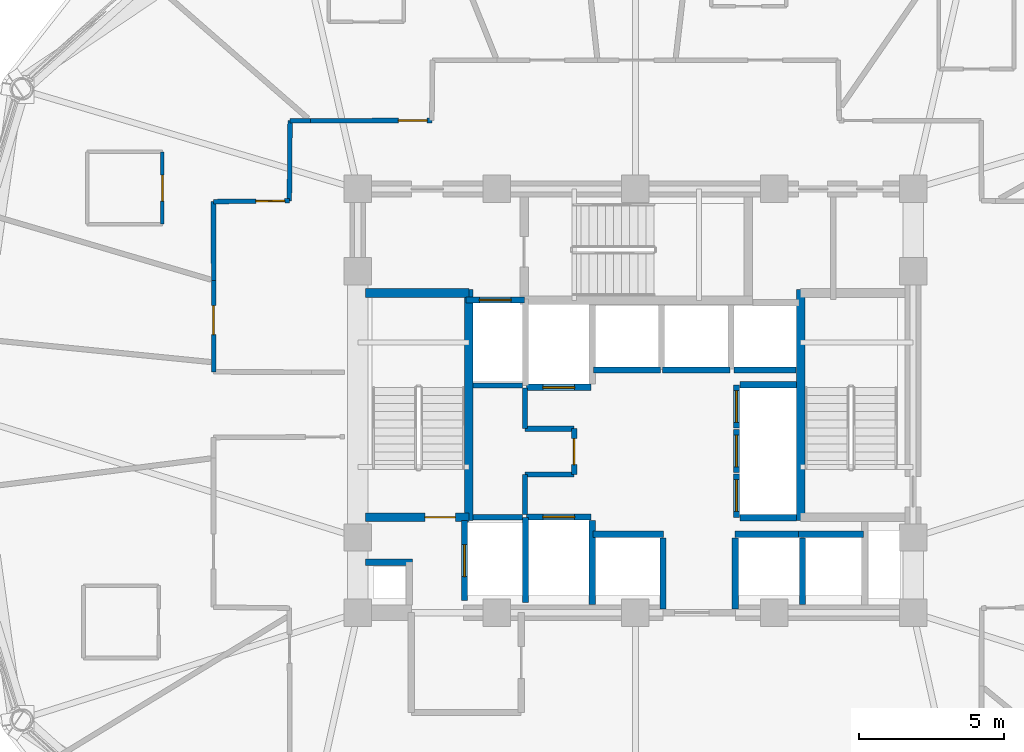
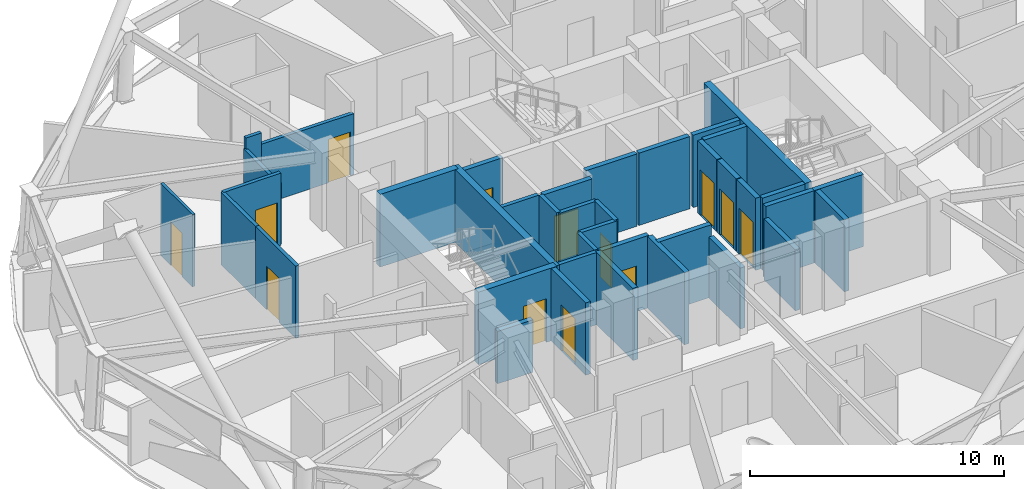
# One storey, part 8 of 13: 39 walls, 13 doors, 13 openings.
"""IFC4 building model written with IfcOpenShell, lengths in metres."""

from ifc_helpers import new_model, si_unit, direction, frame, frame_2d, origin, place, context, subcontext, project, spatial, rectangle, extrude, material, layer, layer_set, type_object, element, fill, save


model = new_model("IFC4")

# Units and contexts
model_context = context("Model", 3, precision=1e-05, world=origin(), true_north=direction((0.0, 1.0)))
body_context = subcontext(model_context, "Body", "Model", "MODEL_VIEW")
ifc_project = project(units=[si_unit("LENGTHUNIT", "METRE"), si_unit("AREAUNIT", "SQUARE_METRE"), si_unit("VOLUMEUNIT", "CUBIC_METRE"), si_unit("PLANEANGLEUNIT", "RADIAN"), si_unit("MASSUNIT", "GRAM", prefix="KILO")], contexts=[model_context])

# Site, building, storey
site_placement = place(None, origin())
site = spatial("IfcSite", under=ifc_project, at=site_placement, CompositionType="ELEMENT")
building_placement = place(site_placement, origin())
building = spatial("IfcBuilding", under=site, at=building_placement, Name="Vantalir Tower", CompositionType="ELEMENT")
storey_placement = place(building_placement, frame((0.0, 0.0, 172.199951171875)))
storey = spatial("IfcBuildingStorey", under=building, at=storey_placement, Name="L43", CompositionType="ELEMENT", Elevation=172.199951171875)

# Wall, opening, door
ifc_material_1 = material(Name="Moisture-resistant en-suite partition", Category="gypsum")
ifc_layer_1 = layer(ifc_material_1, 0.125)
ifc_layer_set_1 = layer_set([ifc_layer_1], Name="Moisture-resistant en-suite partition")
wall_type_1 = type_object("IfcWallType", Name="WL-BATH-125", PredefinedType="PARTITIONING", material=ifc_layer_set_1)
wall_1_placement = place(storey_placement, frame((15.14501953125, 31.23095703125, 0.0), z_axis=(0.0, 0.0, 1.0), x_axis=(0.0, 1.0, 0.0)))
wall_1 = element("IfcWall", 1, at=wall_1_placement, inside=storey, type_object=wall_type_1, Name="L43 En-suite 07 East Wall", PredefinedType="PARTITIONING", context=body_context, shape_type="SweptSolid", body=[
    extrude(rectangle(XDim=2.5, YDim=0.125, at=frame_2d((1.25, 0.0))), origin(), (0.0, 0.0, 1.0), 3.47998046875),
])
opening_1_placement = place(wall_1_placement, frame((0.800048828125, 0.0, 0.0)))
opening_1 = element("IfcOpeningElement", 2, at=opening_1_placement, cuts=wall_1, Name="Opening D-WC", PredefinedType="OPENING", context=body_context, shape_type="SweptSolid", body=[
    extrude(rectangle(XDim=0.89990234375, YDim=2.10009765625, at=frame_2d((0.449951171875, 1.050048828125))), frame((0.0, 0.072509765625, 0.0), z_axis=(0.0, -1.0, 0.0), x_axis=(1.0, 0.0, 0.0)), (0.0, 0.0, 1.0), 0.14501953125),
])
ifc_material_2 = material(Name="Moisture-resistant hardwood door", Category="wood")
door_type_1 = type_object("IfcDoorType", Name="DR-ENSUITE-900", OperationType="NOTDEFINED", PredefinedType="DOOR", material=ifc_material_2)
door_1_placement = place(opening_1_placement, origin())
door_1 = element("IfcDoor", 3, at=door_1_placement, inside=storey, type_object=door_type_1, Name="L43 En-suite 07 Door", OperationType="SINGLE_SWING_LEFT", OverallHeight=2.10009765625, OverallWidth=0.89990234375, PredefinedType="DOOR", context=body_context, shape_type="SweptSolid", body=[
    extrude(rectangle(XDim=0.89990234375, YDim=2.10009765625, at=frame_2d((0.449951171875, 1.050048828125))), frame((0.0, 0.02490234375, 0.0), z_axis=(0.0, -1.0, 0.0), x_axis=(1.0, 0.0, 0.0)), (0.0, 0.0, 1.0), 0.050048828125),
])
fill(opening_1, door_1)

ifc_material_3 = material(Name="Fire-rated hotel corridor acoustic partition", Category="gypsum")
ifc_layer_2 = layer(ifc_material_3, 0.159912109375)
ifc_layer_set_2 = layer_set([ifc_layer_2], Name="Fire-rated hotel corridor acoustic partition")
wall_type_2 = type_object("IfcWallType", Name="WL-CORR-160", PredefinedType="PARTITIONING", material=ifc_layer_set_2)
wall_2_placement = place(storey_placement, frame((16.9189453125, 26.125, 0.0), z_axis=(0.0, 0.0, 1.0), x_axis=(-0.001236188501, 0.999999235919, 0.0)))
wall_2 = element("IfcWall", 4, at=wall_2_placement, inside=storey, type_object=wall_type_2, Name="L43 Corridor Partition 03", PredefinedType="PARTITIONING", context=body_context, shape_type="SweptSolid", body=[
    extrude(rectangle(XDim=3.159912109375, YDim=0.159912109375, at=frame_2d((1.580078125, 0.0))), origin(), (0.0, 0.0, 1.0), 3.47998046875),
])
opening_2_placement = place(wall_2_placement, frame((1.2919921875, 0.0, 0.0)))
opening_2 = element("IfcOpeningElement", 5, at=opening_2_placement, cuts=wall_2, Name="Opening D-GUEST", PredefinedType="OPENING", context=body_context, shape_type="SweptSolid", body=[
    extrude(rectangle(XDim=1.0, YDim=2.10009765625, at=frame_2d((0.5, 1.050048828125))), frame((0.0, 0.08984375, 0.0), z_axis=(0.0, -1.0, 0.0), x_axis=(1.0, 0.0, 0.0)), (0.0, 0.0, 1.0), 0.179931640625),
])
ifc_material_4 = material(Name="Solid-core teak veneer acoustic fire door", Category="wood")
door_type_2 = type_object("IfcDoorType", Name="DR-GUEST-ENTRY-1000", OperationType="NOTDEFINED", PredefinedType="DOOR", material=ifc_material_4)
door_2_placement = place(opening_2_placement, origin())
door_2 = element("IfcDoor", 6, at=door_2_placement, inside=storey, type_object=door_type_2, Name="L43 Executive Business Study 08 Door", OperationType="SINGLE_SWING_LEFT", OverallHeight=2.10009765625, OverallWidth=1.0, PredefinedType="DOOR", context=body_context, shape_type="SweptSolid", body=[
    extrude(rectangle(XDim=1.0, YDim=2.10009765625, at=frame_2d((0.5, 1.050048828125))), frame((0.0, 0.02490234375, 0.0), z_axis=(0.0, -1.0, 0.0), x_axis=(1.0, 0.0, 0.0)), (0.0, 0.0, 1.0), 0.050048828125),
])
fill(opening_2, door_2)

# Wall
wall_3_placement = place(storey_placement, frame((16.9150390625, 29.284912109375, 0.0), z_axis=(0.0, 0.0, 1.0), x_axis=(-0.001074305557, 0.999999422934, 0.0)))
element("IfcWall", 7, at=wall_3_placement, inside=storey, type_object=wall_type_2, Name="L43 Corridor Partition 04", PredefinedType="PARTITIONING", context=body_context, shape_type="SweptSolid", body=[
    extrude(rectangle(XDim=2.72705078125, YDim=0.159912109375, at=frame_2d((1.363525390625, 0.0))), origin(), (0.0, 0.0, 1.0), 3.47998046875),
])

# Wall, opening, door
wall_4_placement = place(storey_placement, frame((16.912109375, 32.011962890625, 0.0), z_axis=(0.0, 0.0, 1.0), x_axis=(0.999942710212, 0.010704031618, 0.0)))
wall_4 = element("IfcWall", 8, at=wall_4_placement, inside=storey, type_object=wall_type_2, Name="L43 Corridor Partition 05", PredefinedType="PARTITIONING", context=body_context, shape_type="SweptSolid", body=[
    extrude(rectangle(XDim=2.623046875, YDim=0.159912109375, at=frame_2d((1.3115234375, 0.0))), origin(), (0.0, 0.0, 1.0), 3.47998046875),
])
opening_3_placement = place(wall_4_placement, frame((1.462890625, 0.0, 0.0)))
opening_3 = element("IfcOpeningElement", 9, at=opening_3_placement, cuts=wall_4, Name="Opening D-GUEST", PredefinedType="OPENING", context=body_context, shape_type="SweptSolid", body=[
    extrude(rectangle(XDim=1.0, YDim=2.10009765625, at=frame_2d((0.5, 1.050048828125))), frame((0.0, 0.08984375, 0.0), z_axis=(0.0, -1.0, 0.0), x_axis=(1.0, 0.0, 0.0)), (0.0, 0.0, 1.0), 0.179931640625),
])
door_3_placement = place(opening_3_placement, origin())
door_3 = element("IfcDoor", 10, at=door_3_placement, inside=storey, type_object=door_type_2, Name="L43 Deluxe King Hotel Room 07 Door", OperationType="SINGLE_SWING_RIGHT", OverallHeight=2.10009765625, OverallWidth=1.0, PredefinedType="DOOR", context=body_context, shape_type="SweptSolid", body=[
    extrude(rectangle(XDim=1.0, YDim=2.10009765625, at=frame_2d((0.5, 1.050048828125))), frame((0.0, 0.02490234375, 0.0), z_axis=(0.0, -1.0, 0.0), x_axis=(1.0, 0.0, 0.0)), (0.0, 0.0, 1.0), 0.050048828125),
])
fill(opening_3, door_3)

# Walls
wall_5_placement = place(storey_placement, frame((19.534912109375, 32.0400390625, 0.0), z_axis=(0.0, 0.0, 1.0), x_axis=(0.009071319538, 0.999958854734, 0.0)))
element("IfcWall", 11, at=wall_5_placement, inside=storey, type_object=wall_type_2, Name="L43 Corridor Partition 06", PredefinedType="PARTITIONING", context=body_context, shape_type="SweptSolid", body=[
    extrude(rectangle(XDim=2.77197265625, YDim=0.159912109375, at=frame_2d((1.385986328125, 0.0))), origin(), (0.0, 0.0, 1.0), 2.93603515625),
])
wall_6_placement = place(storey_placement, frame((19.56005859375, 34.81201171875, 0.0), z_axis=(0.0, 0.0, 1.0), x_axis=(1.0, 0.0, 0.0)))
element("IfcWall", 12, at=wall_6_placement, inside=storey, type_object=wall_type_2, Name="L43 Corridor Partition 07", PredefinedType="PARTITIONING", context=body_context, shape_type="SweptSolid", body=[
    extrude(rectangle(XDim=0.703857421875, YDim=0.159912109375, at=frame_2d((0.35205078125, 0.0))), origin(), (0.0, 0.0, 1.0), 3.47998046875),
])

# Wall, opening, door
wall_7_placement = place(storey_placement, frame((20.263916015625, 34.81201171875, 0.0), z_axis=(0.0, 0.0, 1.0), x_axis=(0.999999756257, 0.000698201959, 0.0)))
wall_7 = element("IfcWall", 13, at=wall_7_placement, inside=storey, type_object=wall_type_2, Name="L43 Corridor Partition 08", PredefinedType="PARTITIONING", context=body_context, shape_type="SweptSolid", body=[
    extrude(rectangle(XDim=4.196044921875, YDim=0.159912109375, at=frame_2d((2.09814453125, 0.0))), origin(), (0.0, 0.0, 1.0), 2.93603515625),
])
opening_4_placement = place(wall_7_placement, frame((3.035888671875, 0.0, 0.0)))
opening_4 = element("IfcOpeningElement", 14, at=opening_4_placement, cuts=wall_7, Name="Opening D-GUEST", PredefinedType="OPENING", context=body_context, shape_type="SweptSolid", body=[
    extrude(rectangle(XDim=1.0, YDim=2.10009765625, at=frame_2d((0.5, 1.050048828125))), frame((0.0, 0.08984375, 0.0), z_axis=(0.0, -1.0, 0.0), x_axis=(1.0, 0.0, 0.0)), (0.0, 0.0, 1.0), 0.179931640625),
])
door_4_placement = place(opening_4_placement, origin())
door_4 = element("IfcDoor", 15, at=door_4_placement, inside=storey, type_object=door_type_2, Name="L43 Twin Queen Hotel Room 06 Door", OperationType="SINGLE_SWING_LEFT", OverallHeight=2.10009765625, OverallWidth=1.0, PredefinedType="DOOR", context=body_context, shape_type="SweptSolid", body=[
    extrude(rectangle(XDim=1.0, YDim=2.10009765625, at=frame_2d((0.5, 1.050048828125))), frame((0.0, 0.02490234375, 0.0), z_axis=(0.0, -1.0, 0.0), x_axis=(1.0, 0.0, 0.0)), (0.0, 0.0, 1.0), 0.050048828125),
])
fill(opening_4, door_4)

# Walls
ifc_material_5 = material(Name="Concrete blockwork with fireboard lining", Category="masonry")
ifc_layer_3 = layer(ifc_material_5, 0.219970703125)
ifc_layer_set_3 = layer_set([ifc_layer_3], Name="Concrete blockwork with fireboard lining")
wall_type_3 = type_object("IfcWallType", Name="WL-FFL-220", PredefinedType="PARTITIONING", material=ifc_layer_set_3)
wall_8_placement = place(storey_placement, frame((30.0, 18.080078125, 0.0), z_axis=(0.0, 0.0, 1.0), x_axis=(0.0, 1.0, 0.0)))
element("IfcWall", 16, at=wall_8_placement, inside=storey, type_object=wall_type_3, Name="L43 Service Lift SV1 East Shaft Wall", PredefinedType="PARTITIONING", context=body_context, shape_type="SweptSolid", body=[
    extrude(rectangle(XDim=2.89990234375, YDim=0.219970703125, at=frame_2d((1.449951171875, 0.0))), origin(), (0.0, 0.0, 1.0), 3.47509765625),
])
for number, where, z_axis, x_axis, name in (
    (17, (32.449951171875, 17.919921875, 0.0), (0.0, 0.0, 1.0), (0.0, 1.0, 0.0), "L43 Shuttle Lift PL-X1 East Shaft Cheek"),
    (18, (34.949951171875, 17.919921875, 0.0), (0.0, 0.0, 1.0), (0.0, 1.0, 0.0), "L43 Shuttle Lift PL-X3 West Shaft Cheek"),
):
    element("IfcWall", number, at=place(storey_placement, frame(where, z_axis=z_axis, x_axis=x_axis)), inside=storey, type_object=wall_type_3, Name=name, PredefinedType="PARTITIONING", context=body_context, shape_type="SweptSolid", body=[
        extrude(rectangle(XDim=2.469970703125, YDim=0.219970703125, at=frame_2d((1.23486328125, 0.0))), origin(), (0.0, 0.0, 1.0), 2.93603515625),
    ])
wall_9_placement = place(storey_placement, frame((37.27490234375, 18.080078125, 0.0), z_axis=(0.0, 0.0, 1.0), x_axis=(0.0, 1.0, 0.0)))
element("IfcWall", 19, at=wall_9_placement, inside=storey, type_object=wall_type_3, Name="L43 Shuttle Lift PL-X2/X3 Shaft Divider", PredefinedType="PARTITIONING", context=body_context, shape_type="SweptSolid", body=[
    extrude(rectangle(XDim=2.309814453125, YDim=0.219970703125, at=frame_2d((1.15478515625, 0.0))), origin(), (0.0, 0.0, 1.0), 3.47509765625),
])
wall_10_placement = place(storey_placement, frame((34.909912109375, 26.18994140625, 0.0), z_axis=(0.0, 0.0, 1.0), x_axis=(1.0, 0.0, 0.0)))
element("IfcWall", 20, at=wall_10_placement, inside=storey, type_object=wall_type_3, Name="L43 High-Rise Lift PL-H3 Rear Shaft Wall", PredefinedType="PARTITIONING", context=body_context, shape_type="SweptSolid", body=[
    extrude(rectangle(XDim=2.14013671875, YDim=0.219970703125, at=frame_2d((1.070068359375, 0.0))), origin(), (0.0, 0.0, 1.0), 3.47509765625),
])
wall_11_placement = place(storey_placement, frame((22.175048828125, 19.550048828125, 0.0), z_axis=(0.0, 0.0, 1.0), x_axis=(1.0, 0.0, 0.0)))
element("IfcWall", 21, at=wall_11_placement, inside=storey, type_object=wall_type_3, Name="L43 West MEP Riser Wall N", PredefinedType="PARTITIONING", context=body_context, shape_type="SweptSolid", body=[
    extrude(rectangle(XDim=1.614990234375, YDim=0.219970703125, at=frame_2d((0.8076171875, 0.0))), origin(), (0.0, 0.0, 1.0), 2.525146484375),
])

# Wall, opening, door
wall_12_placement = place(storey_placement, frame((25.590087890625, 18.219970703125, 0.0), z_axis=(0.0, 0.0, 1.0), x_axis=(0.0, 1.0, 0.0)))
wall_12 = element("IfcWall", 22, at=wall_12_placement, inside=storey, type_object=wall_type_3, Name="L43 Lift FL1 Shaft Front Wall", PredefinedType="PARTITIONING", context=body_context, shape_type="SweptSolid", body=[
    extrude(rectangle(XDim=2.760009765625, YDim=0.219970703125, at=frame_2d((1.3798828125, 0.0))), origin(), (0.0, 0.0, 1.0), 3.47998046875),
])
opening_5_placement = place(wall_12_placement, frame((0.830078125, 0.0, 0.0)))
opening_5 = element("IfcOpeningElement", 23, at=opening_5_placement, cuts=wall_12, Name="Opening LD-FL1", PredefinedType="OPENING", context=body_context, shape_type="SweptSolid", body=[
    extrude(rectangle(XDim=1.10009765625, YDim=2.199951171875, at=frame_2d((0.550048828125, 1.10009765625))), frame((0.0, 0.119873046875, 0.0), z_axis=(0.0, -1.0, 0.0), x_axis=(1.0, 0.0, 0.0)), (0.0, 0.0, 1.0), 0.239990234375),
])
ifc_material_6 = material(Name="Brushed stainless-steel sliding lift landing door", Category="steel")
door_type_3 = type_object("IfcDoorType", Name="DR-LIFT-LANDING-1100", OperationType="DOUBLE_DOOR_SLIDING", PredefinedType="DOOR", material=ifc_material_6)
door_5_placement = place(opening_5_placement, origin())
door_5 = element("IfcDoor", 24, at=door_5_placement, inside=storey, type_object=door_type_3, Name="L43 Lift Landing Door FL1", OperationType="DOUBLE_DOOR_SLIDING", OverallHeight=2.199951171875, OverallWidth=1.10009765625, PredefinedType="DOOR", context=body_context, shape_type="SweptSolid", body=[
    extrude(rectangle(XDim=1.10009765625, YDim=2.199951171875, at=frame_2d((0.550048828125, 1.10009765625))), frame((0.0, 0.02490234375, 0.0), z_axis=(0.0, -1.0, 0.0), x_axis=(1.0, 0.0, 0.0)), (0.0, 0.0, 1.0), 0.050048828125),
])
fill(opening_5, door_5)

wall_13_placement = place(storey_placement, frame((25.639892578125, 28.610107421875, 0.0), z_axis=(0.0, 0.0, 1.0), x_axis=(1.0, 0.0, 0.0)))
wall_13 = element("IfcWall", 25, at=wall_13_placement, inside=storey, type_object=wall_type_3, Name="L43 Lift FL2 Shaft Front Wall", PredefinedType="PARTITIONING", context=body_context, shape_type="SweptSolid", body=[
    extrude(rectangle(XDim=2.02001953125, YDim=0.219970703125, at=frame_2d((1.010009765625, 0.0))), origin(), (0.0, 0.0, 1.0), 3.47998046875),
])
opening_6_placement = place(wall_13_placement, frame((0.4599609375, 0.0, 0.0)))
opening_6 = element("IfcOpeningElement", 26, at=opening_6_placement, cuts=wall_13, Name="Opening LD-FL2", PredefinedType="OPENING", context=body_context, shape_type="SweptSolid", body=[
    extrude(rectangle(XDim=1.10009765625, YDim=2.199951171875, at=frame_2d((0.550048828125, 1.10009765625))), frame((0.0, 0.119873046875, 0.0), z_axis=(0.0, -1.0, 0.0), x_axis=(1.0, 0.0, 0.0)), (0.0, 0.0, 1.0), 0.239990234375),
])
door_6_placement = place(opening_6_placement, origin())
door_6 = element("IfcDoor", 27, at=door_6_placement, inside=storey, type_object=door_type_3, Name="L43 Lift Landing Door FL2", OperationType="DOUBLE_DOOR_SLIDING", OverallHeight=2.199951171875, OverallWidth=1.10009765625, PredefinedType="DOOR", context=body_context, shape_type="SweptSolid", body=[
    extrude(rectangle(XDim=1.10009765625, YDim=2.199951171875, at=frame_2d((0.550048828125, 1.10009765625))), frame((0.0, 0.02490234375, 0.0), z_axis=(0.0, -1.0, 0.0), x_axis=(1.0, 0.0, 0.0)), (0.0, 0.0, 1.0), 0.050048828125),
])
fill(opening_6, door_6)

wall_14_placement = place(storey_placement, frame((27.739990234375, 21.110107421875, 0.0), z_axis=(0.0, 0.0, 1.0), x_axis=(1.0, 0.0, 0.0)))
wall_14 = element("IfcWall", 28, at=wall_14_placement, inside=storey, type_object=wall_type_3, Name="L43 Lift SV1 Shaft Front Wall", PredefinedType="PARTITIONING", context=body_context, shape_type="SweptSolid", body=[
    extrude(rectangle(XDim=2.219970703125, YDim=0.219970703125, at=frame_2d((1.10986328125, 0.0))), origin(), (0.0, 0.0, 1.0), 3.47998046875),
])
opening_7_placement = place(wall_14_placement, frame((0.56005859375, 0.0, 0.0)))
opening_7 = element("IfcOpeningElement", 29, at=opening_7_placement, cuts=wall_14, Name="Opening LD-SV1", PredefinedType="OPENING", context=body_context, shape_type="SweptSolid", body=[
    extrude(rectangle(XDim=1.10009765625, YDim=2.199951171875, at=frame_2d((0.550048828125, 1.10009765625))), frame((0.0, 0.119873046875, 0.0), z_axis=(0.0, -1.0, 0.0), x_axis=(1.0, 0.0, 0.0)), (0.0, 0.0, 1.0), 0.239990234375),
])
door_7_placement = place(opening_7_placement, origin())
door_7 = element("IfcDoor", 30, at=door_7_placement, inside=storey, type_object=door_type_3, Name="L43 Lift Landing Door SV1", OperationType="DOUBLE_DOOR_SLIDING", OverallHeight=2.199951171875, OverallWidth=1.10009765625, PredefinedType="DOOR", context=body_context, shape_type="SweptSolid", body=[
    extrude(rectangle(XDim=1.10009765625, YDim=2.199951171875, at=frame_2d((0.550048828125, 1.10009765625))), frame((0.0, 0.02490234375, 0.0), z_axis=(0.0, -1.0, 0.0), x_axis=(1.0, 0.0, 0.0)), (0.0, 0.0, 1.0), 0.050048828125),
])
fill(opening_7, door_7)

wall_15_placement = place(storey_placement, frame((27.739990234375, 25.590087890625, 0.0), z_axis=(0.0, 0.0, 1.0), x_axis=(1.0, 0.0, 0.0)))
wall_15 = element("IfcWall", 31, at=wall_15_placement, inside=storey, type_object=wall_type_3, Name="L43 Lift SV2 Shaft Front Wall", PredefinedType="PARTITIONING", context=body_context, shape_type="SweptSolid", body=[
    extrude(rectangle(XDim=2.219970703125, YDim=0.219970703125, at=frame_2d((1.10986328125, 0.0))), origin(), (0.0, 0.0, 1.0), 3.47998046875),
])
opening_8_placement = place(wall_15_placement, frame((0.56005859375, 0.0, 0.0)))
opening_8 = element("IfcOpeningElement", 32, at=opening_8_placement, cuts=wall_15, Name="Opening LD-SV2", PredefinedType="OPENING", context=body_context, shape_type="SweptSolid", body=[
    extrude(rectangle(XDim=1.10009765625, YDim=2.199951171875, at=frame_2d((0.550048828125, 1.10009765625))), frame((0.0, 0.119873046875, 0.0), z_axis=(0.0, -1.0, 0.0), x_axis=(1.0, 0.0, 0.0)), (0.0, 0.0, 1.0), 0.239990234375),
])
door_8_placement = place(opening_8_placement, frame((1.10009765625, 0.0, 0.0), z_axis=(0.0, 0.0, 1.0), x_axis=(-1.0, 0.0, 0.0)))
door_8 = element("IfcDoor", 33, at=door_8_placement, inside=storey, type_object=door_type_3, Name="L43 Lift Landing Door SV2", OperationType="DOUBLE_DOOR_SLIDING", OverallHeight=2.199951171875, OverallWidth=1.10009765625, PredefinedType="DOOR", context=body_context, shape_type="SweptSolid", body=[
    extrude(rectangle(XDim=1.10009765625, YDim=2.199951171875, at=frame_2d((0.550048828125, 1.10009765625))), frame((0.0, 0.02490234375, 0.0), z_axis=(0.0, -1.0, 0.0), x_axis=(1.0, 0.0, 0.0)), (0.0, 0.0, 1.0), 0.050048828125),
])
fill(opening_8, door_8)

# Walls
wall_16_placement = place(storey_placement, frame((30.0400390625, 20.510009765625, 0.0), z_axis=(0.0, 0.0, 1.0), x_axis=(1.0, 0.0, 0.0)))
element("IfcWall", 34, at=wall_16_placement, inside=storey, type_object=wall_type_3, Name="L43 Lift PL-X1 Shaft Front Wall", PredefinedType="PARTITIONING", context=body_context, shape_type="SweptSolid", body=[
    extrude(rectangle(XDim=2.419921875, YDim=0.219970703125, at=frame_2d((1.2099609375, 0.0))), origin(), (0.0, 0.0, 1.0), 3.47998046875),
])
for number, where, z_axis, x_axis, name in (
    (35, (37.139892578125, 20.510009765625, 0.0), (0.0, 0.0, 1.0), (1.0, 0.0, 0.0), "L43 Lift PL-X2 Shaft Rear Wall"),
    (36, (34.93994140625, 20.510009765625, 0.0), (0.0, 0.0, 1.0), (1.0, 0.0, 0.0), "L43 Lift PL-X3 Shaft Front Wall"),
):
    element("IfcWall", number, at=place(storey_placement, frame(where, z_axis=z_axis, x_axis=x_axis)), inside=storey, type_object=wall_type_3, Name=name, PredefinedType="PARTITIONING", context=body_context, shape_type="SweptSolid", body=[
        extrude(rectangle(XDim=2.239990234375, YDim=0.219970703125, at=frame_2d((1.1201171875, 0.0))), origin(), (0.0, 0.0, 1.0), 3.47998046875),
    ])
for number, where, z_axis, x_axis, name in (
    (37, (30.0400390625, 26.18994140625, 0.0), (0.0, 0.0, 1.0), (1.0, 0.0, 0.0), "L43 Lift PL-H1 Shaft Front Wall"),
    (38, (32.43994140625, 26.18994140625, 0.0), (0.0, 0.0, 1.0), (1.0, 0.0, 0.0), "L43 Lift PL-H2 Shaft Front Wall"),
):
    element("IfcWall", number, at=place(storey_placement, frame(where, z_axis=z_axis, x_axis=x_axis)), inside=storey, type_object=wall_type_3, Name=name, PredefinedType="PARTITIONING", context=body_context, shape_type="SweptSolid", body=[
        extrude(rectangle(XDim=2.320068359375, YDim=0.219970703125, at=frame_2d((1.16015625, 0.0))), origin(), (0.0, 0.0, 1.0), 3.47998046875),
    ])

# Wall, opening, door
wall_17_placement = place(storey_placement, frame((34.989990234375, 21.10009765625, 0.0), z_axis=(0.0, 0.0, 1.0), x_axis=(0.0, 1.0, 0.0)))
wall_17 = element("IfcWall", 39, at=wall_17_placement, inside=storey, type_object=wall_type_3, Name="L43 Lift PL-M1 Shaft Front Wall", PredefinedType="PARTITIONING", context=body_context, shape_type="SweptSolid", body=[
    extrude(rectangle(XDim=1.5, YDim=0.219970703125, at=frame_2d((0.75, 0.0))), origin(), (0.0, 0.0, 1.0), 3.47998046875),
])
opening_9_placement = place(wall_17_placement, frame((0.199951171875, 0.0, 0.0)))
opening_9 = element("IfcOpeningElement", 40, at=opening_9_placement, cuts=wall_17, Name="Opening LD-PL-M1", PredefinedType="OPENING", context=body_context, shape_type="SweptSolid", body=[
    extrude(rectangle(XDim=1.10009765625, YDim=2.199951171875, at=frame_2d((0.550048828125, 1.10009765625))), frame((0.0, 0.119873046875, 0.0), z_axis=(0.0, -1.0, 0.0), x_axis=(1.0, 0.0, 0.0)), (0.0, 0.0, 1.0), 0.239990234375),
])
door_9_placement = place(opening_9_placement, origin())
door_9 = element("IfcDoor", 41, at=door_9_placement, inside=storey, type_object=door_type_3, Name="L43 Lift Landing Door PL-M1", OperationType="DOUBLE_DOOR_SLIDING", OverallHeight=2.199951171875, OverallWidth=1.10009765625, PredefinedType="DOOR", context=body_context, shape_type="SweptSolid", body=[
    extrude(rectangle(XDim=1.10009765625, YDim=2.199951171875, at=frame_2d((0.550048828125, 1.10009765625))), frame((0.0, 0.02490234375, 0.0), z_axis=(0.0, -1.0, 0.0), x_axis=(1.0, 0.0, 0.0)), (0.0, 0.0, 1.0), 0.050048828125),
])
fill(opening_9, door_9)

wall_18_placement = place(storey_placement, frame((34.989990234375, 22.639892578125, 0.0), z_axis=(0.0, 0.0, 1.0), x_axis=(0.0, 1.0, 0.0)))
wall_18 = element("IfcWall", 42, at=wall_18_placement, inside=storey, type_object=wall_type_3, Name="L43 Lift PL-M2 Shaft Front Wall", PredefinedType="PARTITIONING", context=body_context, shape_type="SweptSolid", body=[
    extrude(rectangle(XDim=1.5, YDim=0.219970703125, at=frame_2d((0.75, 0.0))), origin(), (0.0, 0.0, 1.0), 3.47998046875),
])
opening_10_placement = place(wall_18_placement, frame((0.199951171875, 0.0, 0.0)))
opening_10 = element("IfcOpeningElement", 43, at=opening_10_placement, cuts=wall_18, Name="Opening LD-PL-M2", PredefinedType="OPENING", context=body_context, shape_type="SweptSolid", body=[
    extrude(rectangle(XDim=1.10009765625, YDim=2.199951171875, at=frame_2d((0.550048828125, 1.10009765625))), frame((0.0, 0.119873046875, 0.0), z_axis=(0.0, -1.0, 0.0), x_axis=(1.0, 0.0, 0.0)), (0.0, 0.0, 1.0), 0.239990234375),
])
door_10_placement = place(opening_10_placement, origin())
door_10 = element("IfcDoor", 44, at=door_10_placement, inside=storey, type_object=door_type_3, Name="L43 Lift Landing Door PL-M2", OperationType="DOUBLE_DOOR_SLIDING", OverallHeight=2.199951171875, OverallWidth=1.10009765625, PredefinedType="DOOR", context=body_context, shape_type="SweptSolid", body=[
    extrude(rectangle(XDim=1.10009765625, YDim=2.199951171875, at=frame_2d((0.550048828125, 1.10009765625))), frame((0.0, 0.02490234375, 0.0), z_axis=(0.0, -1.0, 0.0), x_axis=(1.0, 0.0, 0.0)), (0.0, 0.0, 1.0), 0.050048828125),
])
fill(opening_10, door_10)

wall_19_placement = place(storey_placement, frame((34.989990234375, 24.179931640625, 0.0), z_axis=(0.0, 0.0, 1.0), x_axis=(0.0, 1.0, 0.0)))
wall_19 = element("IfcWall", 45, at=wall_19_placement, inside=storey, type_object=wall_type_3, Name="L43 Lift PL-M3 Shaft Front Wall", PredefinedType="PARTITIONING", context=body_context, shape_type="SweptSolid", body=[
    extrude(rectangle(XDim=1.5, YDim=0.219970703125, at=frame_2d((0.75, 0.0))), origin(), (0.0, 0.0, 1.0), 3.47998046875),
])
opening_11_placement = place(wall_19_placement, frame((0.199951171875, 0.0, 0.0)))
opening_11 = element("IfcOpeningElement", 46, at=opening_11_placement, cuts=wall_19, Name="Opening LD-PL-M3", PredefinedType="OPENING", context=body_context, shape_type="SweptSolid", body=[
    extrude(rectangle(XDim=1.10009765625, YDim=2.199951171875, at=frame_2d((0.550048828125, 1.10009765625))), frame((0.0, 0.119873046875, 0.0), z_axis=(0.0, -1.0, 0.0), x_axis=(1.0, 0.0, 0.0)), (0.0, 0.0, 1.0), 0.239990234375),
])
door_11_placement = place(opening_11_placement, origin())
door_11 = element("IfcDoor", 47, at=door_11_placement, inside=storey, type_object=door_type_3, Name="L43 Lift Landing Door PL-M3", OperationType="DOUBLE_DOOR_SLIDING", OverallHeight=2.199951171875, OverallWidth=1.10009765625, PredefinedType="DOOR", context=body_context, shape_type="SweptSolid", body=[
    extrude(rectangle(XDim=1.10009765625, YDim=2.199951171875, at=frame_2d((0.550048828125, 1.10009765625))), frame((0.0, 0.02490234375, 0.0), z_axis=(0.0, -1.0, 0.0), x_axis=(1.0, 0.0, 0.0)), (0.0, 0.0, 1.0), 0.050048828125),
])
fill(opening_11, door_11)

# Walls
wall_20_placement = place(storey_placement, frame((27.699951171875, 18.14990234375, 0.0), z_axis=(0.0, 0.0, 1.0), x_axis=(0.0, 1.0, 0.0)))
element("IfcWall", 48, at=wall_20_placement, inside=storey, type_object=wall_type_3, Name="L43 Fire Lift FL1 Dividing Wall", PredefinedType="PARTITIONING", context=body_context, shape_type="SweptSolid", body=[
    extrude(rectangle(XDim=2.9501953125, YDim=0.219970703125, at=frame_2d((1.47509765625, 0.0))), origin(), (0.0, 0.0, 1.0), 3.47998046875),
])
for number, where, z_axis, x_axis, name in (
    (49, (35.1201171875, 21.080078125, 0.0), (0.0, 0.0, 1.0), (1.0, 0.0, 0.0), "L43 Mid-Rise Bank South Wall"),
    (50, (35.1201171875, 25.679931640625, 0.0), (0.0, 0.0, 1.0), (1.0, 0.0, 0.0), "L43 Mid-Rise Bank North Wall"),
):
    element("IfcWall", number, at=place(storey_placement, frame(where, z_axis=z_axis, x_axis=x_axis)), inside=storey, type_object=wall_type_3, Name=name, PredefinedType="PARTITIONING", context=body_context, shape_type="SweptSolid", body=[
        extrude(rectangle(XDim=1.93994140625, YDim=0.219970703125, at=frame_2d((0.969970703125, 0.0))), origin(), (0.0, 0.0, 1.0), 3.47998046875),
    ])
ifc_material_7 = material(Name="Twin-stud acoustic fire-rated gypsum partition", Category="gypsum")
ifc_layer_4 = layer(ifc_material_7, 0.179931640625)
ifc_layer_set_4 = layer_set([ifc_layer_4], Name="Twin-stud acoustic fire-rated gypsum partition")
wall_type_4 = type_object("IfcWallType", Name="WL-GUEST-180", PredefinedType="PARTITIONING", material=ifc_layer_set_4)
for number, where, z_axis, x_axis, name in (
    (51, (25.889892578125, 21.10009765625, 0.0), (0.0, 0.0, 1.0), (1.0, 0.0, 0.0), "L43 Freed West Core South Wall"),
    (52, (25.889892578125, 25.64990234375, 0.0), (0.0, 0.0, 1.0), (1.0, 0.0, 0.0), "L43 Freed West Core North Wall"),
):
    element("IfcWall", number, at=place(storey_placement, frame(where, z_axis=z_axis, x_axis=x_axis)), inside=storey, type_object=wall_type_4, Name=name, PredefinedType="PARTITIONING", context=body_context, shape_type="SweptSolid", body=[
        extrude(rectangle(XDim=1.7001953125, YDim=0.179931640625, at=frame_2d((0.85009765625, 0.0))), origin(), (0.0, 0.0, 1.0), 3.47998046875),
    ])
wall_21_placement = place(storey_placement, frame((27.679931640625, 21.18994140625, 0.0), z_axis=(0.0, 0.0, 1.0), x_axis=(0.0, 1.0, 0.0)))
element("IfcWall", 53, at=wall_21_placement, inside=storey, type_object=wall_type_4, Name="L43 West IT Room Lower East Wall", PredefinedType="PARTITIONING", context=body_context, shape_type="SweptSolid", body=[
    extrude(rectangle(XDim=1.39013671875, YDim=0.179931640625, at=frame_2d((0.695068359375, 0.0))), origin(), (0.0, 0.0, 1.0), 3.47998046875),
])
wall_22_placement = place(storey_placement, frame((27.679931640625, 22.580078125, 0.0), z_axis=(0.0, 0.0, 1.0), x_axis=(1.0, 0.0, 0.0)))
element("IfcWall", 54, at=wall_22_placement, inside=storey, type_object=wall_type_4, Name="L43 West IT Room Alcove South Wall", PredefinedType="PARTITIONING", context=body_context, shape_type="SweptSolid", body=[
    extrude(rectangle(XDim=1.699951171875, YDim=0.179931640625, at=frame_2d((0.85009765625, 0.0))), origin(), (0.0, 0.0, 1.0), 3.47998046875),
])

# Wall, opening, door
wall_23_placement = place(storey_placement, frame((29.3798828125, 22.580078125, 0.0), z_axis=(0.0, 0.0, 1.0), x_axis=(0.0, 1.0, 0.0)))
wall_23 = element("IfcWall", 55, at=wall_23_placement, inside=storey, type_object=wall_type_4, Name="L43 West IT Room Alcove East Wall", PredefinedType="PARTITIONING", context=body_context, shape_type="SweptSolid", body=[
    extrude(rectangle(XDim=1.579833984375, YDim=0.179931640625, at=frame_2d((0.7900390625, 0.0))), origin(), (0.0, 0.0, 1.0), 3.47998046875),
])
opening_12_placement = place(wall_23_placement, frame((0.340087890625, 0.0, 0.0)))
opening_12 = element("IfcOpeningElement", 56, at=opening_12_placement, cuts=wall_23, Name="Opening D-CR", PredefinedType="OPENING", context=body_context, shape_type="SweptSolid", body=[
    extrude(rectangle(XDim=0.89990234375, YDim=2.10009765625, at=frame_2d((0.449951171875, 1.050048828125))), frame((0.0, 0.099853515625, 0.0), z_axis=(0.0, -1.0, 0.0), x_axis=(1.0, 0.0, 0.0)), (0.0, 0.0, 1.0), 0.199951171875),
])
ifc_material_8 = material(Name="Fire-rated steel core service door", Category="steel")
door_type_4 = type_object("IfcDoorType", Name="DR-CORE-SERV-900", OperationType="NOTDEFINED", PredefinedType="DOOR", material=ifc_material_8)
door_12_placement = place(opening_12_placement, origin())
door_12 = element("IfcDoor", 57, at=door_12_placement, inside=storey, type_object=door_type_4, Name="L43 Core IT Comms Door", OperationType="SINGLE_SWING_RIGHT", OverallHeight=2.10009765625, OverallWidth=0.89990234375, PredefinedType="DOOR", context=body_context, shape_type="SweptSolid", body=[
    extrude(rectangle(XDim=0.89990234375, YDim=2.10009765625, at=frame_2d((0.449951171875, 1.050048828125))), frame((0.0, 0.02490234375, 0.0), z_axis=(0.0, -1.0, 0.0), x_axis=(1.0, 0.0, 0.0)), (0.0, 0.0, 1.0), 0.050048828125),
])
fill(opening_12, door_12)

# Walls
wall_24_placement = place(storey_placement, frame((27.679931640625, 24.159912109375, 0.0), z_axis=(0.0, 0.0, 1.0), x_axis=(1.0, 0.0, 0.0)))
element("IfcWall", 58, at=wall_24_placement, inside=storey, type_object=wall_type_4, Name="L43 West IT Room Alcove North Wall", PredefinedType="PARTITIONING", context=body_context, shape_type="SweptSolid", body=[
    extrude(rectangle(XDim=1.699951171875, YDim=0.179931640625, at=frame_2d((0.85009765625, 0.0))), origin(), (0.0, 0.0, 1.0), 3.47998046875),
])
wall_25_placement = place(storey_placement, frame((27.679931640625, 24.159912109375, 0.0), z_axis=(0.0, 0.0, 1.0), x_axis=(0.0, 1.0, 0.0)))
element("IfcWall", 59, at=wall_25_placement, inside=storey, type_object=wall_type_4, Name="L43 West IT Room Upper East Wall", PredefinedType="PARTITIONING", context=body_context, shape_type="SweptSolid", body=[
    extrude(rectangle(XDim=1.400146484375, YDim=0.179931640625, at=frame_2d((0.7001953125, 0.0))), origin(), (0.0, 0.0, 1.0), 3.47998046875),
])

# Wall, opening, door
ifc_material_9 = material(Name="Concrete C50/60", Category="concrete")
ifc_layer_5 = layer(ifc_material_9, 0.300048828125)
ifc_layer_set_5 = layer_set([ifc_layer_5], Name="Concrete C50/60")
wall_type_5 = type_object("IfcWallType", Name="WL-STAIR-300", PredefinedType="SHEAR", material=ifc_layer_set_5)
wall_26_placement = place(storey_placement, frame((22.175048828125, 21.10009765625, 0.0), z_axis=(0.0, 0.0, 1.0), x_axis=(1.0, 0.0, 0.0)))
wall_26 = element("IfcWall", 60, at=wall_26_placement, inside=storey, type_object=wall_type_5, Name="L43 Stair ST1 South Wall", PredefinedType="SHEAR", context=body_context, shape_type="SweptSolid", body=[
    extrude(rectangle(XDim=3.56494140625, YDim=0.300048828125, at=frame_2d((1.782470703125, 0.0))), origin(), (0.0, 0.0, 1.0), 3.5),
])
opening_13_placement = place(wall_26_placement, frame((2.044921875, 0.0, 0.0)))
opening_13 = element("IfcOpeningElement", 61, at=opening_13_placement, cuts=wall_26, Name="Opening D-ST", PredefinedType="OPENING", context=body_context, shape_type="SweptSolid", body=[
    extrude(rectangle(XDim=1.050048828125, YDim=2.10009765625, at=frame_2d((0.52490234375, 1.050048828125))), frame((0.0, 0.159912109375, 0.0), z_axis=(0.0, -1.0, 0.0), x_axis=(1.0, 0.0, 0.0)), (0.0, 0.0, 1.0), 0.320068359375),
])
ifc_material_10 = material(Name="Fire-rated steel door leaf", Category="steel")
door_type_5 = type_object("IfcDoorType", Name="DR-FIRE-STAIR-1050", OperationType="NOTDEFINED", PredefinedType="DOOR", material=ifc_material_10)
door_13_placement = place(opening_13_placement, origin())
door_13 = element("IfcDoor", 62, at=door_13_placement, inside=storey, type_object=door_type_5, Name="L43 Exit Stair ST1 Fire Door", OperationType="SINGLE_SWING_RIGHT", OverallHeight=2.10009765625, OverallWidth=1.050048828125, PredefinedType="DOOR", context=body_context, shape_type="SweptSolid", body=[
    extrude(rectangle(XDim=1.050048828125, YDim=2.10009765625, at=frame_2d((0.52490234375, 1.050048828125))), frame((0.0, 0.02490234375, 0.0), z_axis=(0.0, -1.0, 0.0), x_axis=(1.0, 0.0, 0.0)), (0.0, 0.0, 1.0), 0.050048828125),
])
fill(opening_13, door_13)

# Walls
wall_27_placement = place(storey_placement, frame((22.175048828125, 28.85009765625, 0.0), z_axis=(0.0, 0.0, 1.0), x_axis=(1.0, 0.0, 0.0)))
element("IfcWall", 63, at=wall_27_placement, inside=storey, type_object=wall_type_5, Name="L43 Stair ST1 North Wall", PredefinedType="SHEAR", context=body_context, shape_type="SweptSolid", body=[
    extrude(rectangle(XDim=3.56494140625, YDim=0.300048828125, at=frame_2d((1.782470703125, 0.0))), origin(), (0.0, 0.0, 1.0), 3.5),
])
for number, where, z_axis, x_axis, name in (
    (64, (25.739990234375, 20.97998046875, 0.0), (0.0, 0.0, 1.0), (0.0, 1.0, 0.0), "L43 Stair ST1 East Wall"),
    (65, (37.2099609375, 20.97998046875, 0.0), (0.0, 0.0, 1.0), (0.0, 1.0, 0.0), "L43 Stair ST2 West Wall"),
):
    element("IfcWall", number, at=place(storey_placement, frame(where, z_axis=z_axis, x_axis=x_axis)), inside=storey, type_object=wall_type_5, Name=name, PredefinedType="SHEAR", context=body_context, shape_type="SweptSolid", body=[
        extrude(rectangle(XDim=7.989990234375, YDim=0.300048828125, at=frame_2d((3.9951171875, 0.0))), origin(), (0.0, 0.0, 1.0), 3.5),
    ])

save(model, "model.ifc")
